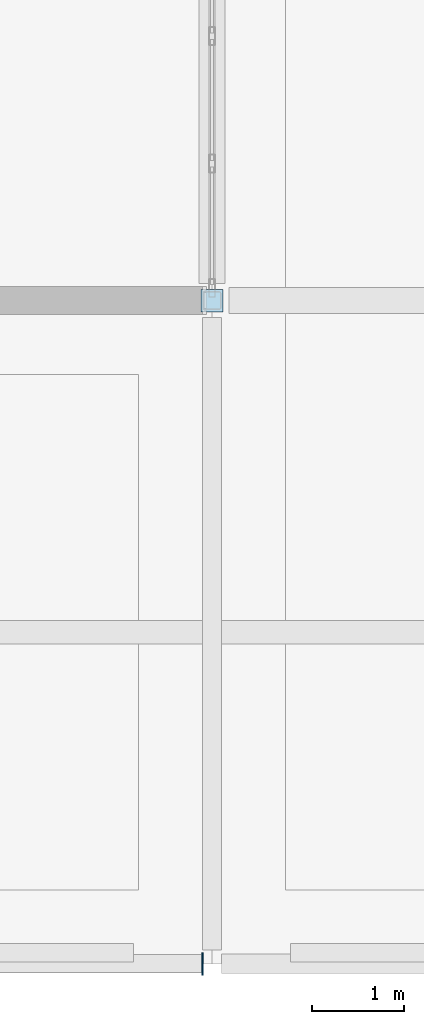
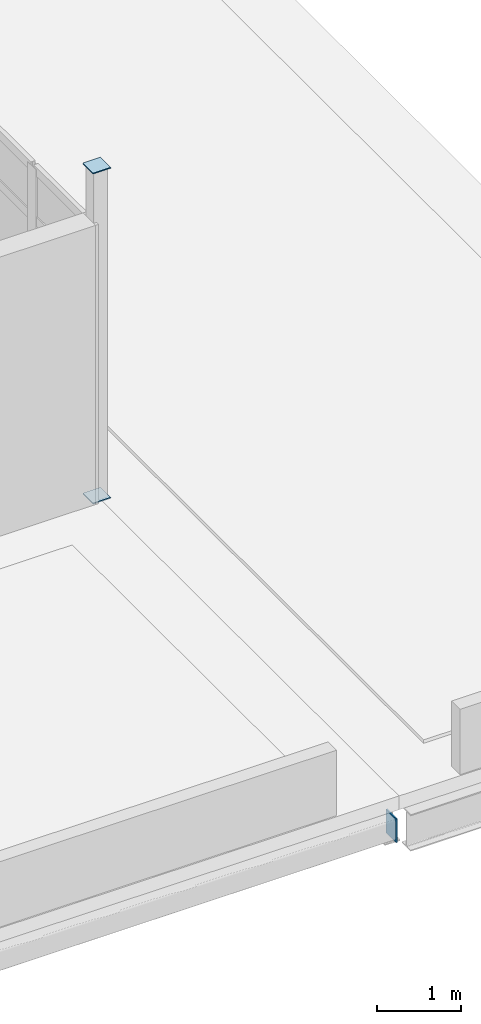
# One storey, part 154 of 186: 3 plates.
"""IFC4 building model written with IfcOpenShell, lengths in metres."""

from ifc_helpers import new_model, si_unit, direction, frame, origin, origin_2d, place, context, subcontext, project, spatial, rectangle, extrude, material, layer, layer_set, type_object, element, save


model = new_model("IFC4")

# Units and contexts
model_context = context("Model", 3, precision=1e-05, world=origin(), true_north=direction((0.0, 1.0)))
body_context = subcontext(model_context, "Body", "Model", "MODEL_VIEW")
ifc_project = project(units=[si_unit("LENGTHUNIT", "METRE"), si_unit("AREAUNIT", "SQUARE_METRE"), si_unit("VOLUMEUNIT", "CUBIC_METRE"), si_unit("PLANEANGLEUNIT", "RADIAN"), si_unit("MASSUNIT", "GRAM", prefix="KILO")], contexts=[model_context])

# Site, building, storey
site_placement = place(None, origin())
site = spatial("IfcSite", under=ifc_project, at=site_placement, CompositionType="ELEMENT")
building_placement = place(site_placement, origin())
building = spatial("IfcBuilding", under=site, at=building_placement, Name="Calvrana Isthmian Art Gallery", CompositionType="ELEMENT")
storey_placement = place(building_placement, frame((0.0, 0.0, 5.39990234375)))
storey = spatial("IfcBuildingStorey", under=building, at=storey_placement, Name="L01", CompositionType="ELEMENT", Elevation=5.39990234375)

# Plates
ifc_material = material(Name="Steel ASTM A572 Gr 50", Category="steel")
ifc_layer = layer(ifc_material, 0.01611328125, Name="Steel ASTM A572 Gr 50")
ifc_layer_set = layer_set([ifc_layer], Name="Steel ASTM A572 Gr 50")
plate_type = type_object("IfcPlateType", Name="PL-CAP-16", PredefinedType="SHEET", material=ifc_layer_set)
for number, where, z_axis, x_axis, name in (
    (1, (156.0, 7.199951171875, -0.008056640625), (0.0, 0.0, 1.0), (1.0, 0.0, 0.0), "Hollow section end cap plate 349"),
    (2, (156.0, 7.199951171875, 4.7919921875), (0.0, 0.0, 1.0), (1.0, 0.0, 0.0), "Hollow section end cap plate 350"),
):
    element("IfcPlate", number, at=place(storey_placement, frame(where, z_axis=z_axis, x_axis=x_axis)), inside=storey, type_object=plate_type, Name=name, PredefinedType="SHEET", context=body_context, shape_type="SweptSolid", body=[
        extrude(rectangle(XDim=0.2431640625, YDim=0.2431640625, at=origin_2d()), origin(), (0.0, 0.0, 1.0), 0.01611328125),
    ])
plate_placement = place(storey_placement, frame((155.8984375, 0.0, -0.569580078125), z_axis=(0.0, 0.0, 1.0), x_axis=(1.0, 0.0, 0.0)))
element("IfcPlate", 3, at=plate_placement, inside=storey, type_object=plate_type, Name="Hollow section end cap plate 414", PredefinedType="SHEET", context=body_context, shape_type="SweptSolid", body=[
    extrude(rectangle(XDim=0.01611328125, YDim=0.2431640625, at=origin_2d()), origin(), (0.0, 0.0, 1.0), 0.3447265625),
])

save(model, "model.ifc")
